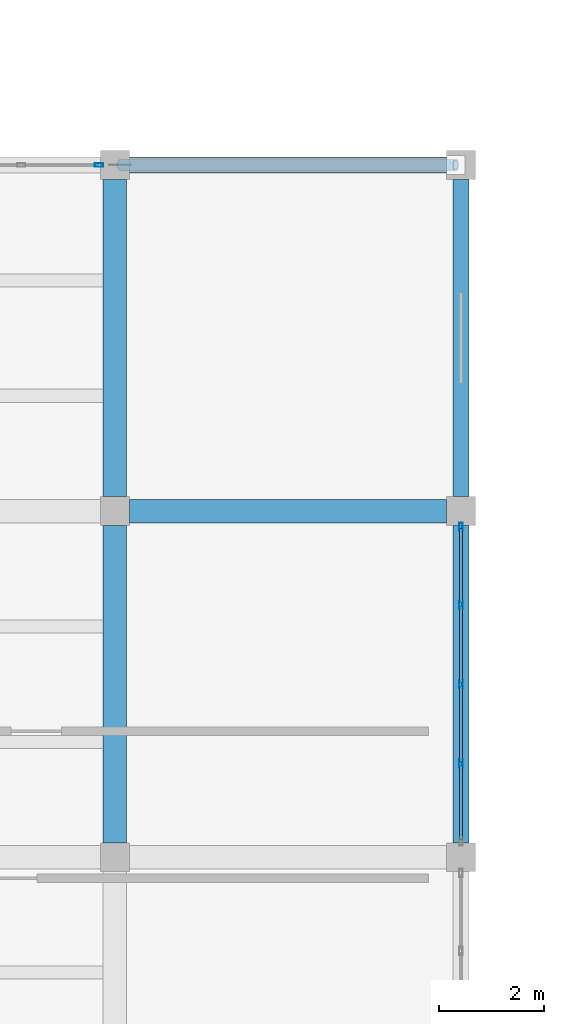
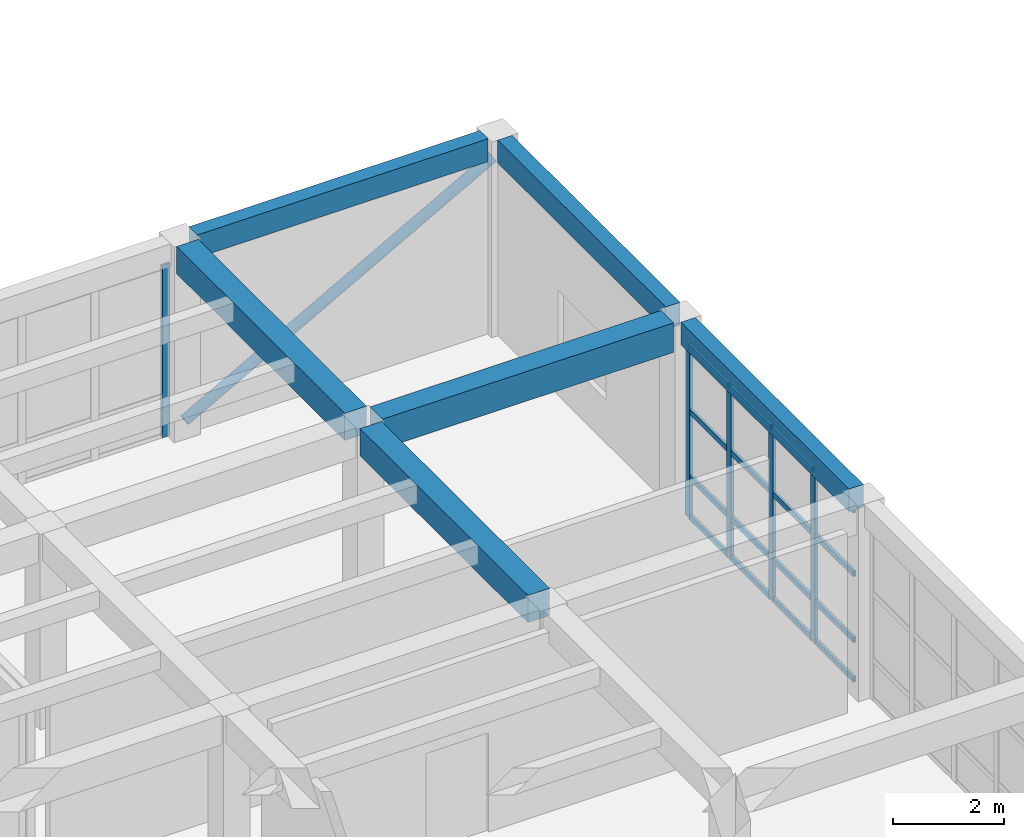
# One storey, part 10 of 48: 22 members, 6 beams, 2 elements without a shape of their own.
"""IFC4 building model written with IfcOpenShell, lengths in metres."""

from ifc_helpers import new_model, si_unit, direction, frame, origin, origin_2d, place, context, subcontext, project, spatial, rectangle, hollow_rectangle, hollow_circle, extrude, material, layer, layer_set, material_profile, profile_set, type_object, element, aggregate, save


model = new_model("IFC4")

# Units and contexts
model_context = context("Model", 3, precision=1e-05, world=origin(), true_north=direction((0.0, 1.0)))
body_context = subcontext(model_context, "Body", "Model", "MODEL_VIEW")
ifc_project = project(units=[si_unit("LENGTHUNIT", "METRE"), si_unit("AREAUNIT", "SQUARE_METRE"), si_unit("VOLUMEUNIT", "CUBIC_METRE"), si_unit("PLANEANGLEUNIT", "RADIAN"), si_unit("MASSUNIT", "GRAM", prefix="KILO")], contexts=[model_context])

# Site, building, storey
site_placement = place(None, origin())
site = spatial("IfcSite", under=ifc_project, at=site_placement, CompositionType="ELEMENT")
building_placement = place(site_placement, origin())
building = spatial("IfcBuilding", under=site, at=building_placement, Name="Kharisveld Research Institute", CompositionType="ELEMENT")
storey_placement = place(building_placement, frame((0.0, 0.0, 14.10009765625)))
storey = spatial("IfcBuildingStorey", under=building, at=storey_placement, Name="L03", CompositionType="ELEMENT", Elevation=14.10009765625)

# Beams
ifc_material_1 = material(Name="Concrete C40/50", Category="concrete")
ifc_material_profile_1 = material_profile(ifc_material_1, rectangle(XDim=0.449951171875, YDim=0.60009765625, at=origin_2d()))
ifc_profile_set_1 = profile_set([ifc_material_profile_1], Name="Concrete C40/50")
beam_type_1 = type_object("IfcBeamType", Name="BM_RC_450x600", PredefinedType="BEAM", material=ifc_profile_set_1)
for number, where, z_axis, x_axis, name in (
    (1, (33.60009765625, 13.675048828125, 4.0), (0.0, 1.0, 0.0), (-1.0, 0.0, 0.0), "BM:V3:L03:V5_2"),
    (2, (33.60009765625, 20.27490234375, 4.0), (0.0, 1.0, 0.0), (-1.0, 0.0, 0.0), "BM:V3:L03:V5_3"),
):
    element("IfcBeam", number, at=place(storey_placement, frame(where, z_axis=z_axis, x_axis=x_axis)), inside=storey, type_object=beam_type_1, Name=name, PredefinedType="BEAM", context=body_context, shape_type="SweptSolid", body=[
        extrude(rectangle(XDim=0.449951171875, YDim=0.60009765625, at=origin_2d()), origin(), (0.0, 0.0, 1.0), 6.050048828125),
    ])
ifc_material_2 = material(Name="Concrete C40/50", Category="concrete")
ifc_material_profile_2 = material_profile(ifc_material_2, rectangle(XDim=0.449951171875, YDim=0.64990234375, at=origin_2d()))
ifc_profile_set_2 = profile_set([ifc_material_profile_2], Name="Concrete C40/50")
beam_type_2 = type_object("IfcBeamType", Name="BM_RC_450x650", PredefinedType="BEAM", material=ifc_profile_set_2)
beam_placement = place(storey_placement, frame((33.875, 20.0, 3.974853515625), z_axis=(1.0, 0.0, 0.0), x_axis=(0.0, 1.0, 0.0)))
element("IfcBeam", 3, at=beam_placement, inside=storey, type_object=beam_type_2, Name="BM:V3:L03:U5_3", PredefinedType="BEAM", context=body_context, shape_type="SweptSolid", body=[
    extrude(rectangle(XDim=0.449951171875, YDim=0.64990234375, at=origin_2d()), origin(), (0.0, 0.0, 1.0), 6.050048828125),
])

# Member
ifc_material_3 = material(Name="Steel S355J2H", Category="steel")
ifc_material_profile_3 = material_profile(ifc_material_3, hollow_circle(Radius=0.109619140625, WallThickness=0.010009765625, at=origin_2d()))
ifc_profile_set_3 = profile_set([ifc_material_profile_3], Name="Steel S355J2H")
member_type_1 = type_object("IfcMemberType", Name="BR_CHS219", PredefinedType="BRACE", material=ifc_profile_set_3)
member_1_placement = place(storey_placement, frame((33.699951171875, 26.60009765625, 0.199951171875), z_axis=(0.874481220931, 0.0, 0.48505937187), x_axis=(0.0, 1.0, 0.0)))
element("IfcMember", 4, at=member_1_placement, inside=storey, type_object=member_type_1, Name="MEM:V3:L03:BR_5_4", PredefinedType="BRACE", context=body_context, shape_type="SweptSolid", body=[
    extrude(hollow_circle(Radius=0.109619140625, WallThickness=0.010009765625, at=origin_2d()), origin(), (0.0, 0.0, 1.0), 7.31884765625),
])

# Curtain wall, member
ifc_material_4 = material(Name="Thermally Broken Aluminium Curtain Wall", Category="aluminium")
ifc_layer_1 = layer(ifc_material_4, 0.159912109375)
ifc_layer_set_1 = layer_set([ifc_layer_1], Name="CW_SYS_02")
curtain_wall_type_1 = type_object("IfcCurtainWallType", Name="CW_SYS_02", PredefinedType="NOTDEFINED", material=ifc_layer_set_1)
curtain_wall_1_placement = place(storey_placement, origin())
curtain_wall_1 = element("IfcCurtainWall", 5, at=curtain_wall_1_placement, inside=storey, type_object=curtain_wall_type_1, Name="CW:V3:L03:N4", PredefinedType="NOTDEFINED")
ifc_material_5 = material(Name="Anodised Aluminium AW-6063-T6", Category="aluminium")
ifc_material_profile_4 = material_profile(ifc_material_5, hollow_rectangle(XDim=0.06494140625, YDim=0.159912109375, WallThickness=0.00390625, at=origin_2d()))
ifc_profile_set_4 = profile_set([ifc_material_profile_4], Name="Anodised Aluminium AW-6063-T6")
member_type_2 = type_object("IfcMemberType", Name="CW_MUL_160", PredefinedType="MULLION", material=ifc_profile_set_4)
member_2_placement = place(storey_placement, frame((33.297607421875, 26.60009765625, 0.0), z_axis=(0.0, 0.0, 1.0), x_axis=(0.0, 1.0, 0.0)))
member_2 = element("IfcMember", 6, at=member_2_placement, type_object=member_type_2, Name="CW-02 mullion 5", PredefinedType="MULLION", context=body_context, shape_type="SweptSolid", body=[
    extrude(hollow_rectangle(XDim=0.06494140625, YDim=0.159912109375, WallThickness=0.00390625, at=origin_2d()), origin(), (0.0, 0.0, 1.0), 3.77978515625),
])
aggregate(curtain_wall_1, [member_2])

# Curtain wall, members
ifc_material_6 = material(Name="Thermally Broken Aluminium Curtain Wall", Category="aluminium")
ifc_layer_2 = layer(ifc_material_6, 0.159912109375)
ifc_layer_set_2 = layer_set([ifc_layer_2], Name="CW_SYS_03")
curtain_wall_type_2 = type_object("IfcCurtainWallType", Name="CW_SYS_03", PredefinedType="NOTDEFINED", material=ifc_layer_set_2)
curtain_wall_2_placement = place(storey_placement, origin())
curtain_wall_2 = element("IfcCurtainWall", 7, at=curtain_wall_2_placement, inside=storey, type_object=curtain_wall_type_2, Name="CW:V3:L03:E3", PredefinedType="NOTDEFINED")
member_3_placement = place(storey_placement, frame((40.199951171875, 19.697509765625, 0.0), z_axis=(0.0, 0.0, 1.0), x_axis=(1.0, 0.0, 0.0)))
member_3 = element("IfcMember", 8, at=member_3_placement, type_object=member_type_2, Name="CW-03 mullion 1", PredefinedType="MULLION", context=body_context, shape_type="SweptSolid", body=[
    extrude(hollow_rectangle(XDim=0.06494140625, YDim=0.159912109375, WallThickness=0.00390625, at=origin_2d()), origin(), (0.0, 0.0, 1.0), 3.77978515625),
])
member_4_placement = place(storey_placement, frame((40.199951171875, 18.215087890625, 0.0), z_axis=(0.0, 0.0, 1.0), x_axis=(1.0, 0.0, 0.0)))
member_4 = element("IfcMember", 9, at=member_4_placement, type_object=member_type_2, Name="CW-03 mullion 2", PredefinedType="MULLION", context=body_context, shape_type="SweptSolid", body=[
    extrude(hollow_rectangle(XDim=0.06494140625, YDim=0.159912109375, WallThickness=0.00390625, at=origin_2d()), origin(), (0.0, 0.0, 1.0), 3.77978515625),
])
member_5_placement = place(storey_placement, frame((40.199951171875, 16.699951171875, 0.0), z_axis=(0.0, 0.0, 1.0), x_axis=(1.0, 0.0, 0.0)))
member_5 = element("IfcMember", 10, at=member_5_placement, type_object=member_type_2, Name="CW-03 mullion 3", PredefinedType="MULLION", context=body_context, shape_type="SweptSolid", body=[
    extrude(hollow_rectangle(XDim=0.06494140625, YDim=0.159912109375, WallThickness=0.00390625, at=origin_2d()), origin(), (0.0, 0.0, 1.0), 3.77978515625),
])
member_6_placement = place(storey_placement, frame((40.199951171875, 15.18505859375, 0.0), z_axis=(0.0, 0.0, 1.0), x_axis=(1.0, 0.0, 0.0)))
member_6 = element("IfcMember", 11, at=member_6_placement, type_object=member_type_2, Name="CW-03 mullion 4", PredefinedType="MULLION", context=body_context, shape_type="SweptSolid", body=[
    extrude(hollow_rectangle(XDim=0.06494140625, YDim=0.159912109375, WallThickness=0.00390625, at=origin_2d()), origin(), (0.0, 0.0, 1.0), 3.77978515625),
])
ifc_material_7 = material(Name="Anodised Aluminium AW-6063-T6", Category="aluminium")
ifc_material_profile_5 = material_profile(ifc_material_7, hollow_rectangle(XDim=0.06005859375, YDim=0.1201171875, WallThickness=0.00390625, at=origin_2d()))
ifc_profile_set_5 = profile_set([ifc_material_profile_5], Name="Anodised Aluminium AW-6063-T6")
member_type_3 = type_object("IfcMemberType", Name="CW_TRN_120", PredefinedType="USERDEFINED", material=ifc_profile_set_5)
member_7_placement = place(storey_placement, frame((40.199951171875, 19.6650390625, 0.02978515625), z_axis=(0.0, -1.0, 0.0), x_axis=(1.0, 0.0, 0.0)))
member_7 = element("IfcMember", 12, at=member_7_placement, type_object=member_type_3, Name="CW-03 transom 1.1", ObjectType="TRANSOM", PredefinedType="USERDEFINED", context=body_context, shape_type="SweptSolid", body=[
    extrude(hollow_rectangle(XDim=0.06005859375, YDim=0.1201171875, WallThickness=0.00390625, at=origin_2d()), origin(), (0.0, 0.0, 1.0), 1.41748046875),
])
member_8_placement = place(storey_placement, frame((40.199951171875, 19.6650390625, 0.89990234375), z_axis=(0.0, -1.0, 0.0), x_axis=(1.0, 0.0, 0.0)))
member_8 = element("IfcMember", 13, at=member_8_placement, type_object=member_type_3, Name="CW-03 transom 1.2", ObjectType="TRANSOM", PredefinedType="USERDEFINED", context=body_context, shape_type="SweptSolid", body=[
    extrude(hollow_rectangle(XDim=0.06005859375, YDim=0.1201171875, WallThickness=0.00390625, at=origin_2d()), origin(), (0.0, 0.0, 1.0), 1.41748046875),
])
member_9_placement = place(storey_placement, frame((40.199951171875, 19.6650390625, 2.349853515625), z_axis=(0.0, -1.0, 0.0), x_axis=(1.0, 0.0, 0.0)))
member_9 = element("IfcMember", 14, at=member_9_placement, type_object=member_type_3, Name="CW-03 transom 1.3", ObjectType="TRANSOM", PredefinedType="USERDEFINED", context=body_context, shape_type="SweptSolid", body=[
    extrude(hollow_rectangle(XDim=0.06005859375, YDim=0.1201171875, WallThickness=0.00390625, at=origin_2d()), origin(), (0.0, 0.0, 1.0), 1.41748046875),
])
member_10_placement = place(storey_placement, frame((40.199951171875, 19.6650390625, 3.75), z_axis=(0.0, -1.0, 0.0), x_axis=(1.0, 0.0, 0.0)))
member_10 = element("IfcMember", 15, at=member_10_placement, type_object=member_type_3, Name="CW-03 transom 1.4", ObjectType="TRANSOM", PredefinedType="USERDEFINED", context=body_context, shape_type="SweptSolid", body=[
    extrude(hollow_rectangle(XDim=0.06005859375, YDim=0.1201171875, WallThickness=0.00390625, at=origin_2d()), origin(), (0.0, 0.0, 1.0), 1.41748046875),
])
member_11_placement = place(storey_placement, frame((40.199951171875, 18.1826171875, 0.02978515625), z_axis=(0.0, -1.0, 0.0), x_axis=(1.0, 0.0, 0.0)))
member_11 = element("IfcMember", 16, at=member_11_placement, type_object=member_type_3, Name="CW-03 transom 2.1", ObjectType="TRANSOM", PredefinedType="USERDEFINED", context=body_context, shape_type="SweptSolid", body=[
    extrude(hollow_rectangle(XDim=0.06005859375, YDim=0.1201171875, WallThickness=0.00390625, at=origin_2d()), origin(), (0.0, 0.0, 1.0), 1.4501953125),
])
member_12_placement = place(storey_placement, frame((40.199951171875, 18.1826171875, 0.89990234375), z_axis=(0.0, -1.0, 0.0), x_axis=(1.0, 0.0, 0.0)))
member_12 = element("IfcMember", 17, at=member_12_placement, type_object=member_type_3, Name="CW-03 transom 2.2", ObjectType="TRANSOM", PredefinedType="USERDEFINED", context=body_context, shape_type="SweptSolid", body=[
    extrude(hollow_rectangle(XDim=0.06005859375, YDim=0.1201171875, WallThickness=0.00390625, at=origin_2d()), origin(), (0.0, 0.0, 1.0), 1.4501953125),
])
member_13_placement = place(storey_placement, frame((40.199951171875, 18.1826171875, 2.349853515625), z_axis=(0.0, -1.0, 0.0), x_axis=(1.0, 0.0, 0.0)))
member_13 = element("IfcMember", 18, at=member_13_placement, type_object=member_type_3, Name="CW-03 transom 2.3", ObjectType="TRANSOM", PredefinedType="USERDEFINED", context=body_context, shape_type="SweptSolid", body=[
    extrude(hollow_rectangle(XDim=0.06005859375, YDim=0.1201171875, WallThickness=0.00390625, at=origin_2d()), origin(), (0.0, 0.0, 1.0), 1.4501953125),
])
member_14_placement = place(storey_placement, frame((40.199951171875, 18.1826171875, 3.75), z_axis=(0.0, -1.0, 0.0), x_axis=(1.0, 0.0, 0.0)))
member_14 = element("IfcMember", 19, at=member_14_placement, type_object=member_type_3, Name="CW-03 transom 2.4", ObjectType="TRANSOM", PredefinedType="USERDEFINED", context=body_context, shape_type="SweptSolid", body=[
    extrude(hollow_rectangle(XDim=0.06005859375, YDim=0.1201171875, WallThickness=0.00390625, at=origin_2d()), origin(), (0.0, 0.0, 1.0), 1.4501953125),
])
member_15_placement = place(storey_placement, frame((40.199951171875, 16.66748046875, 0.02978515625), z_axis=(0.0, -1.0, 0.0), x_axis=(1.0, 0.0, 0.0)))
member_15 = element("IfcMember", 20, at=member_15_placement, type_object=member_type_3, Name="CW-03 transom 3.1", ObjectType="TRANSOM", PredefinedType="USERDEFINED", context=body_context, shape_type="SweptSolid", body=[
    extrude(hollow_rectangle(XDim=0.06005859375, YDim=0.1201171875, WallThickness=0.00390625, at=origin_2d()), origin(), (0.0, 0.0, 1.0), 1.449951171875),
])
member_16_placement = place(storey_placement, frame((40.199951171875, 16.66748046875, 0.89990234375), z_axis=(0.0, -1.0, 0.0), x_axis=(1.0, 0.0, 0.0)))
member_16 = element("IfcMember", 21, at=member_16_placement, type_object=member_type_3, Name="CW-03 transom 3.2", ObjectType="TRANSOM", PredefinedType="USERDEFINED", context=body_context, shape_type="SweptSolid", body=[
    extrude(hollow_rectangle(XDim=0.06005859375, YDim=0.1201171875, WallThickness=0.00390625, at=origin_2d()), origin(), (0.0, 0.0, 1.0), 1.449951171875),
])
member_17_placement = place(storey_placement, frame((40.199951171875, 16.66748046875, 2.349853515625), z_axis=(0.0, -1.0, 0.0), x_axis=(1.0, 0.0, 0.0)))
member_17 = element("IfcMember", 22, at=member_17_placement, type_object=member_type_3, Name="CW-03 transom 3.3", ObjectType="TRANSOM", PredefinedType="USERDEFINED", context=body_context, shape_type="SweptSolid", body=[
    extrude(hollow_rectangle(XDim=0.06005859375, YDim=0.1201171875, WallThickness=0.00390625, at=origin_2d()), origin(), (0.0, 0.0, 1.0), 1.449951171875),
])
member_18_placement = place(storey_placement, frame((40.199951171875, 16.66748046875, 3.75), z_axis=(0.0, -1.0, 0.0), x_axis=(1.0, 0.0, 0.0)))
member_18 = element("IfcMember", 23, at=member_18_placement, type_object=member_type_3, Name="CW-03 transom 3.4", ObjectType="TRANSOM", PredefinedType="USERDEFINED", context=body_context, shape_type="SweptSolid", body=[
    extrude(hollow_rectangle(XDim=0.06005859375, YDim=0.1201171875, WallThickness=0.00390625, at=origin_2d()), origin(), (0.0, 0.0, 1.0), 1.449951171875),
])
member_19_placement = place(storey_placement, frame((40.199951171875, 15.152587890625, 0.02978515625), z_axis=(0.0, -1.0, 0.0), x_axis=(1.0, 0.0, 0.0)))
member_19 = element("IfcMember", 24, at=member_19_placement, type_object=member_type_3, Name="CW-03 transom 4.1", ObjectType="TRANSOM", PredefinedType="USERDEFINED", context=body_context, shape_type="SweptSolid", body=[
    extrude(hollow_rectangle(XDim=0.06005859375, YDim=0.1201171875, WallThickness=0.00390625, at=origin_2d()), origin(), (0.0, 0.0, 1.0), 1.41748046875),
])
member_20_placement = place(storey_placement, frame((40.199951171875, 15.152587890625, 0.89990234375), z_axis=(0.0, -1.0, 0.0), x_axis=(1.0, 0.0, 0.0)))
member_20 = element("IfcMember", 25, at=member_20_placement, type_object=member_type_3, Name="CW-03 transom 4.2", ObjectType="TRANSOM", PredefinedType="USERDEFINED", context=body_context, shape_type="SweptSolid", body=[
    extrude(hollow_rectangle(XDim=0.06005859375, YDim=0.1201171875, WallThickness=0.00390625, at=origin_2d()), origin(), (0.0, 0.0, 1.0), 1.41748046875),
])
member_21_placement = place(storey_placement, frame((40.199951171875, 15.152587890625, 2.349853515625), z_axis=(0.0, -1.0, 0.0), x_axis=(1.0, 0.0, 0.0)))
member_21 = element("IfcMember", 26, at=member_21_placement, type_object=member_type_3, Name="CW-03 transom 4.3", ObjectType="TRANSOM", PredefinedType="USERDEFINED", context=body_context, shape_type="SweptSolid", body=[
    extrude(hollow_rectangle(XDim=0.06005859375, YDim=0.1201171875, WallThickness=0.00390625, at=origin_2d()), origin(), (0.0, 0.0, 1.0), 1.41748046875),
])
member_22_placement = place(storey_placement, frame((40.199951171875, 15.152587890625, 3.75), z_axis=(0.0, -1.0, 0.0), x_axis=(1.0, 0.0, 0.0)))
member_22 = element("IfcMember", 27, at=member_22_placement, type_object=member_type_3, Name="CW-03 transom 4.4", ObjectType="TRANSOM", PredefinedType="USERDEFINED", context=body_context, shape_type="SweptSolid", body=[
    extrude(hollow_rectangle(XDim=0.06005859375, YDim=0.1201171875, WallThickness=0.00390625, at=origin_2d()), origin(), (0.0, 0.0, 1.0), 1.41748046875),
])
aggregate(curtain_wall_2, [member_3, member_4, member_5, member_6, member_7, member_8, member_9, member_10, member_11, member_12, member_13, member_14, member_15, member_16, member_17, member_18, member_19, member_20, member_21, member_22])

# Beams
ifc_material_8 = material(Name="Concrete C40/50", Category="concrete")
ifc_material_profile_6 = material_profile(ifc_material_8, rectangle(XDim=0.300048828125, YDim=0.5, at=origin_2d()))
ifc_profile_set_6 = profile_set([ifc_material_profile_6], Name="Concrete C40/50")
beam_type_3 = type_object("IfcBeamType", Name="SP_RC_300x500", PredefinedType="SPANDREL", material=ifc_profile_set_6)
for number, where, z_axis, x_axis, name in (
    (28, (33.875, 26.60009765625, 4.0498046875), (1.0, 0.0, 0.0), (0.0, 1.0, 0.0), "BM:V3:L03:U5_4"),
    (29, (40.199951171875, 13.675048828125, 4.0498046875), (0.0, 1.0, 0.0), (-1.0, 0.0, 0.0), "BM:V3:L03:V6_2"),
    (30, (40.199951171875, 20.27490234375, 4.0498046875), (0.0, 1.0, 0.0), (-1.0, 0.0, 0.0), "BM:V3:L03:V6_3"),
):
    element("IfcBeam", number, at=place(storey_placement, frame(where, z_axis=z_axis, x_axis=x_axis)), inside=storey, type_object=beam_type_3, Name=name, PredefinedType="SPANDREL", context=body_context, shape_type="SweptSolid", body=[
        extrude(rectangle(XDim=0.300048828125, YDim=0.5, at=origin_2d()), origin(), (0.0, 0.0, 1.0), 6.050048828125),
    ])

save(model, "model.ifc")
